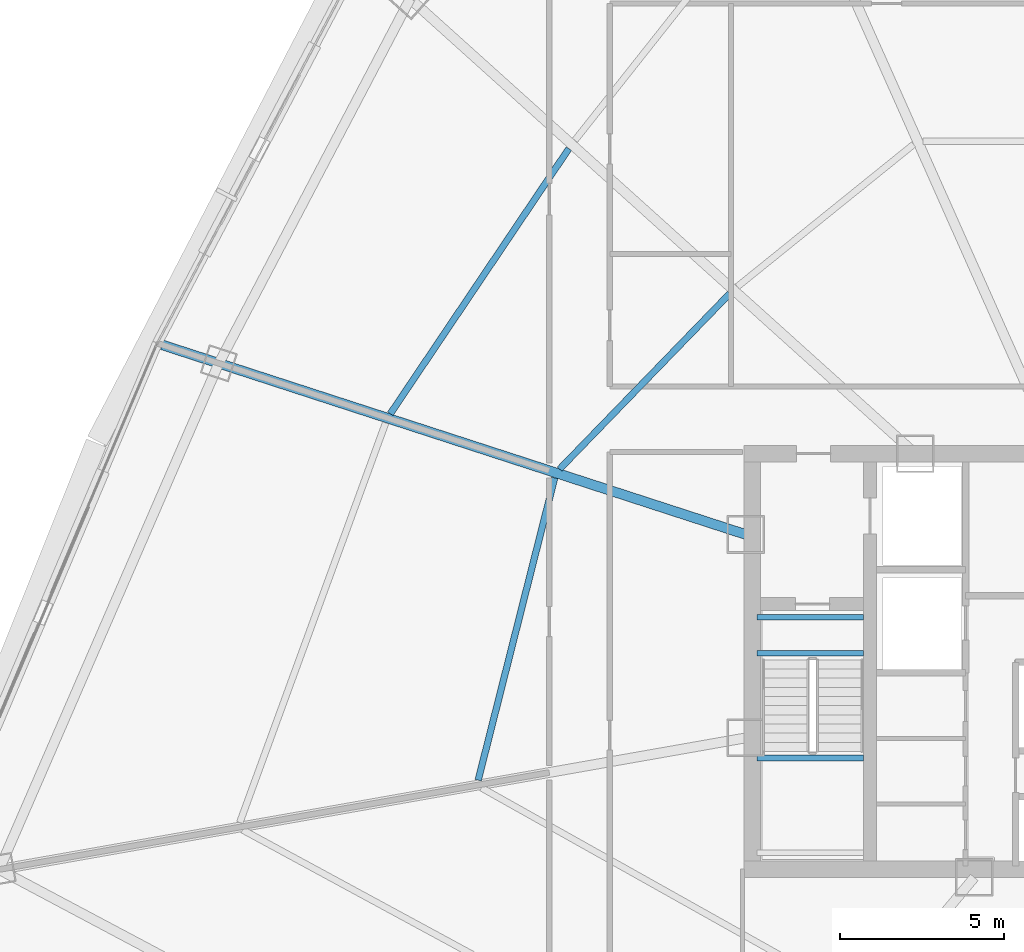
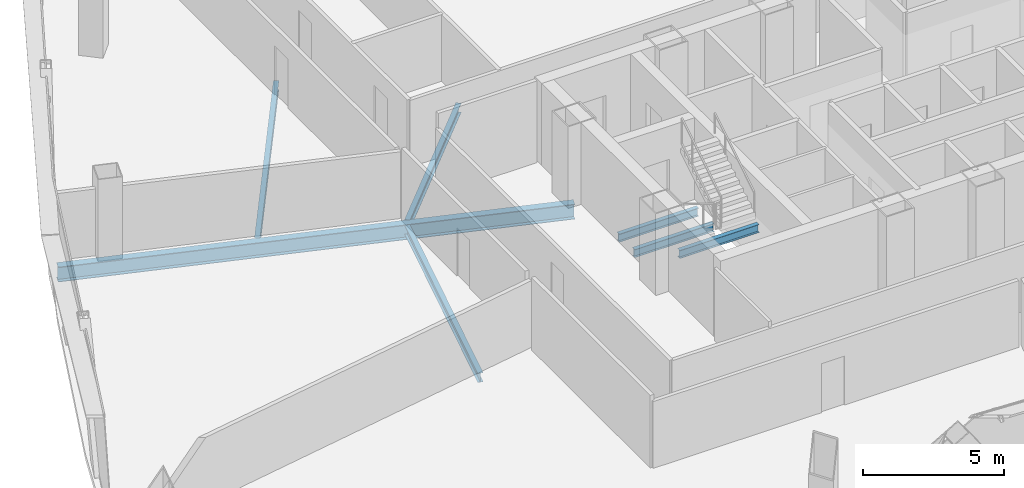
# One storey, part 9 of 37: 7 beams.
"""IFC4 building model written with IfcOpenShell, lengths in metres."""

from ifc_helpers import new_model, si_unit, direction, frame, origin, origin_2d, place, context, subcontext, project, spatial, i_section, extrude, source, transform, mapped, material, material_profile, profile_set, type_object, element, save


model = new_model("IFC4")

# Units and contexts
model_context = context("Model", 3, precision=1e-05, world=origin(), true_north=direction((0.0, 1.0)))
body_context = subcontext(model_context, "Body", "Model", "MODEL_VIEW")
ifc_project = project(units=[si_unit("LENGTHUNIT", "METRE"), si_unit("AREAUNIT", "SQUARE_METRE"), si_unit("VOLUMEUNIT", "CUBIC_METRE"), si_unit("PLANEANGLEUNIT", "RADIAN"), si_unit("MASSUNIT", "GRAM", prefix="KILO"), si_unit("THERMODYNAMICTEMPERATUREUNIT", "KELVIN"), si_unit("POWERUNIT", "WATT")], contexts=[model_context])

# Site, building, storey
site_placement = place(None, origin())
site = spatial("IfcSite", under=ifc_project, at=site_placement, CompositionType="ELEMENT")
building_placement = place(site_placement, origin())
building = spatial("IfcBuilding", under=site, at=building_placement, Name="Yunzhuo Pagoda Commons", CompositionType="ELEMENT")
storey_placement = place(building_placement, frame((0.0, 0.0, 196.159912109375)))
storey = spatial("IfcBuildingStorey", under=building, at=storey_placement, Name="L49", CompositionType="ELEMENT", Elevation=196.159912109375)

# Beams
ifc_material = material(Name="Structural steel Q355B", Category="steel")
ifc_material_profile_1 = material_profile(ifc_material, i_section(OverallWidth=0.175048828125, OverallDepth=0.35009765625, WebThickness=0.007080078125, FlangeThickness=0.010986328125, at=origin_2d()), Name="Structural steel Q355B")
ifc_profile_set_1 = profile_set([ifc_material_profile_1], Name="Structural steel Q355B")
beam_type_1 = type_object("IfcBeamType", Name="B-JS2 Joist HN 350x175x7x11", PredefinedType="JOIST", material=ifc_profile_set_1)
shared_shape_1 = source(origin(), body_context, "Body", "SweptSolid", [
    extrude(i_section(OverallWidth=0.175048828125, OverallDepth=0.35009765625, WebThickness=0.007080078125, FlangeThickness=0.010986328125, at=origin_2d()), origin(), (0.0, 0.0, 1.0), 3.25),
])
for number, where, z_axis, x_axis, name in (
    (1, (35.949951171875, 30.89990234375, 1.525146484375), (1.0, 0.0, 0.0), (0.0, 1.0, 0.0), "L49 ST1 landing support beam 55B"),
    (2, (35.949951171875, 34.10009765625, -0.375), (1.0, 0.0, 0.0), (0.0, 1.0, 0.0), "L49 ST1 landing support beam 153A"),
    (3, (35.949951171875, 35.199951171875, -0.375), (1.0, 0.0, 0.0), (0.0, 1.0, 0.0), "L49 ST1 landing support beam 153B"),
):
    element("IfcBeam", number, at=place(storey_placement, frame(where, z_axis=z_axis, x_axis=x_axis)), inside=storey, type_object=beam_type_1, Name=name, PredefinedType="JOIST", context=body_context, shape_type="MappedRepresentation", body=[
        mapped(shared_shape_1, transform((0.0, 0.0, 0.0), scale=1.0)),
    ])
ifc_material_profile_2 = material_profile(ifc_material, i_section(OverallWidth=0.199951171875, OverallDepth=0.39990234375, WebThickness=0.008056640625, FlangeThickness=0.012939453125, at=origin_2d()), Name="Structural steel Q355B")
ifc_profile_set_2 = profile_set([ifc_material_profile_2], Name="Structural steel Q355B")
beam_type_2 = type_object("IfcBeamType", Name="B-JS1 Joist HN 400x200x8x13", PredefinedType="JOIST", material=ifc_profile_set_2)
shared_shape_2 = source(origin(), body_context, "Body", "SweptSolid", [
    extrude(i_section(OverallWidth=0.199951171875, OverallDepth=0.39990234375, WebThickness=0.008056640625, FlangeThickness=0.012939453125, at=origin_2d()), origin(), (0.0, 0.0, 1.0), 9.529052734375),
])
beam_1_placement = place(storey_placement, frame((29.766845703125, 39.457763671875, -0.4599609375), z_axis=(-0.245367921097, -0.969430030119, 0.0), x_axis=(0.969430030119, -0.245367921097, 0.0)))
element("IfcBeam", 4, at=beam_1_placement, inside=storey, type_object=beam_type_2, Name="L49 composite ring joist 1.11", PredefinedType="JOIST", context=body_context, shape_type="MappedRepresentation", body=[
    mapped(shared_shape_2, transform((0.0, 0.0, 0.0), scale=1.0)),
])
shared_shape_3 = source(origin(), body_context, "Body", "SweptSolid", [
    extrude(i_section(OverallWidth=0.199951171875, OverallDepth=0.39990234375, WebThickness=0.008056640625, FlangeThickness=0.012939453125, at=origin_2d()), origin(), (0.0, 0.0, 1.0), 7.46826171875),
])
beam_2_placement = place(storey_placement, frame((35.114990234375, 45.087890625, -0.4599609375), z_axis=(-0.696070782679, -0.717973164889, 0.0), x_axis=(0.717973164889, -0.696070782679, 0.0)))
element("IfcBeam", 5, at=beam_2_placement, inside=storey, type_object=beam_type_2, Name="L49 composite ring joist 1.10", PredefinedType="JOIST", context=body_context, shape_type="MappedRepresentation", body=[
    mapped(shared_shape_3, transform((0.0, 0.0, 0.0), scale=1.0)),
])
shared_shape_4 = source(origin(), body_context, "Body", "SweptSolid", [
    extrude(i_section(OverallWidth=0.199951171875, OverallDepth=0.39990234375, WebThickness=0.008056640625, FlangeThickness=0.012939453125, at=origin_2d()), origin(), (0.0, 0.0, 1.0), 9.764892578125),
])
beam_3_placement = place(storey_placement, frame((30.198486328125, 49.5166015625, -0.4599609375), z_axis=(-0.558548425455, -0.829471914185, 0.0), x_axis=(0.829471914185, -0.558548425455, 0.0)))
element("IfcBeam", 6, at=beam_3_placement, inside=storey, type_object=beam_type_2, Name="L49 composite ring joist 2.10", PredefinedType="JOIST", context=body_context, shape_type="MappedRepresentation", body=[
    mapped(shared_shape_4, transform((0.0, 0.0, 0.0), scale=1.0)),
])
ifc_material_profile_3 = material_profile(ifc_material, i_section(OverallWidth=0.300048828125, OverallDepth=0.64990234375, WebThickness=0.012939453125, FlangeThickness=0.02197265625, at=origin_2d()), Name="Structural steel Q355B")
ifc_profile_set_3 = profile_set([ifc_material_profile_3], Name="Structural steel Q355B")
beam_type_3 = type_object("IfcBeamType", Name="B-RG2 Beam HN 650x300x13x22", PredefinedType="BEAM", material=ifc_profile_set_3)
shared_shape_5 = source(origin(), body_context, "Body", "SweptSolid", [
    extrude(i_section(OverallWidth=0.300048828125, OverallDepth=0.64990234375, WebThickness=0.012939453125, FlangeThickness=0.02197265625, at=origin_2d()), origin(), (0.0, 0.0, 1.0), 18.746337890625),
])
beam_4_placement = place(storey_placement, frame((17.771240234375, 43.52197265625, -0.5849609375), z_axis=(0.951056174336, -0.309018046814, 0.0), x_axis=(0.309018046814, 0.951056174336, 0.0)))
element("IfcBeam", 7, at=beam_4_placement, inside=storey, type_object=beam_type_3, Name="L49 radial floor girder F3C3", PredefinedType="BEAM", context=body_context, shape_type="MappedRepresentation", body=[
    mapped(shared_shape_5, transform((0.0, 0.0, 0.0), scale=1.0)),
])

save(model, "model.ifc")
